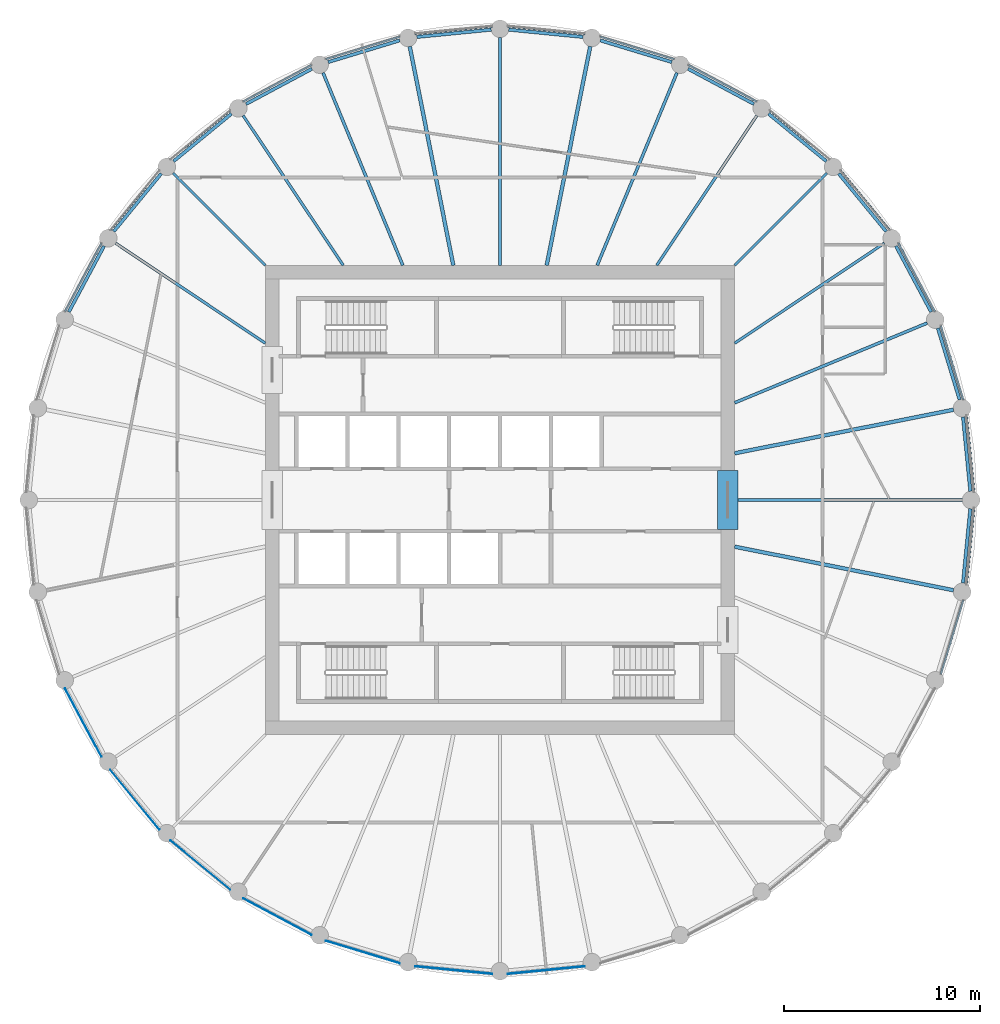
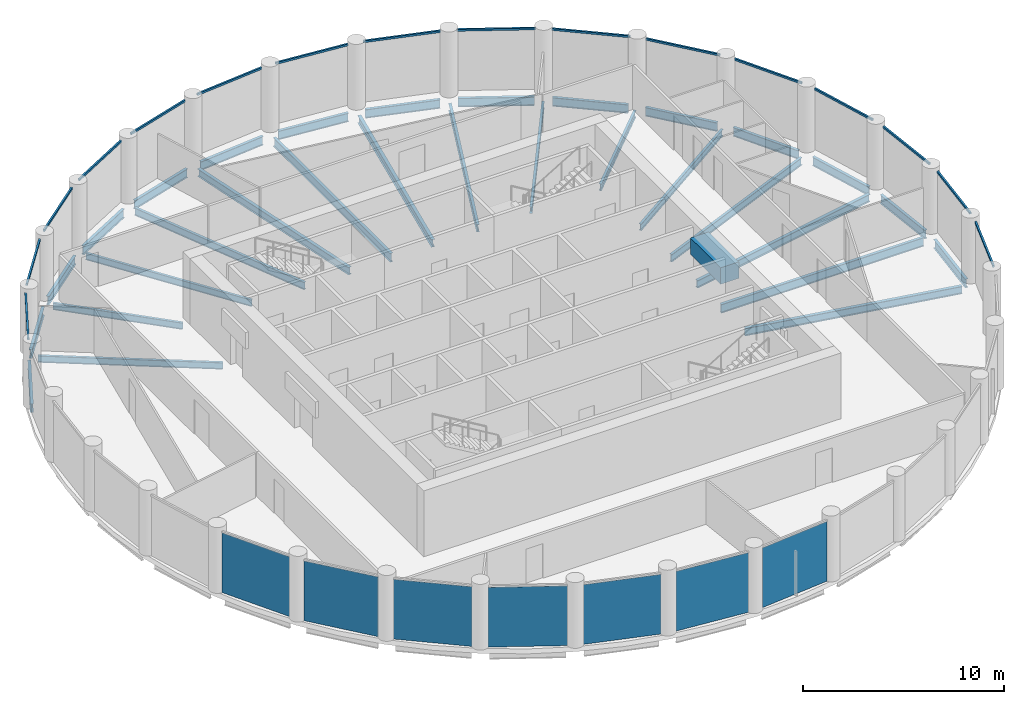
# One storey, part 2 of 7: 31 beams, 16 members, 7 plates, 23 elements without a shape of their own.
"""IFC4 building model written with IfcOpenShell, lengths in metres."""

from ifc_helpers import new_model, si_unit, direction, frame, origin, origin_2d, place, context, subcontext, project, spatial, rectangle, i_section, extrude, material, layer, layer_set, material_profile, profile_set, type_object, element, aggregate, save


model = new_model("IFC4")

# Units and contexts
model_context = context("Model", 3, precision=1e-05, world=origin(), true_north=direction((0.0, 1.0)))
body_context = subcontext(model_context, "Body", "Model", "MODEL_VIEW")
ifc_project = project(units=[si_unit("LENGTHUNIT", "METRE"), si_unit("AREAUNIT", "SQUARE_METRE"), si_unit("VOLUMEUNIT", "CUBIC_METRE"), si_unit("PLANEANGLEUNIT", "RADIAN"), si_unit("MASSUNIT", "GRAM", prefix="KILO")], contexts=[model_context])

# Site, building, storey
site_placement = place(None, origin())
site = spatial("IfcSite", under=ifc_project, at=site_placement, CompositionType="ELEMENT")
building_placement = place(site_placement, origin())
building = spatial("IfcBuilding", under=site, at=building_placement, Name="Corvane Civic Tower", CompositionType="ELEMENT")
storey_placement = place(building_placement, frame((0.0, 0.0, 291.0)))
storey = spatial("IfcBuildingStorey", under=building, at=storey_placement, Name="L69", CompositionType="ELEMENT", Elevation=291.0)

# Beams
ifc_material_1 = material(Name="Concrete C40/50", Category="concrete")
ifc_material_profile_1 = material_profile(ifc_material_1, rectangle(XDim=1.050048828125, YDim=1.0, at=origin_2d()), Name="COUPLING BEAM 1050X1000")
ifc_profile_set_1 = profile_set([ifc_material_profile_1], Name="Concrete C40/50")
beam_type_1 = type_object("IfcBeamType", Name="COUPLING BEAM COUPLING BEAM 1050X1000", PredefinedType="BEAM", material=ifc_profile_set_1)
beam_1_placement = place(storey_placement, frame((11.64990234375, -1.5, 2.60009765625), z_axis=(0.0, 1.0, 0.0), x_axis=(-1.0, 0.0, 0.0)))
element("IfcBeam", 1, at=beam_1_placement, inside=storey, type_object=beam_type_1, Name="BM-L69-cpl-CW-LE", PredefinedType="BEAM", context=body_context, shape_type="SweptSolid", body=[
    extrude(rectangle(XDim=1.050048828125, YDim=1.0, at=origin_2d()), origin(), (0.0, 0.0, 1.0), 3.0),
])
ifc_material_2 = material(Name="Steel ASTM A992 Gr 50", Category="steel")
ifc_material_profile_2 = material_profile(ifc_material_2, i_section(OverallWidth=0.165771484375, OverallDepth=0.5283203125, WebThickness=0.009765625, FlangeThickness=0.013671875, at=origin_2d()), Name="W21X50")
ifc_profile_set_2 = profile_set([ifc_material_profile_2], Name="Steel ASTM A992 Gr 50")
beam_type_2 = type_object("IfcBeamType", Name="EDGE BEAM W21X50", PredefinedType="BEAM", material=ifc_profile_set_2)
for number, where, z_axis, x_axis, name in (
    (2, (0.44775390625, 24.055908203125, -0.564208984375), (0.995187721162, -0.097986732007, 0.0), (0.097986732007, 0.995187721162, 0.0), "BM-L69-E01"),
    (3, (5.13232421875, 23.50634765625, -0.564208984375), (0.95692555902, -0.290333385085, 0.0), (0.290333385085, 0.95692555902, 0.0), "BM-L69-E02"),
):
    element("IfcBeam", number, at=place(storey_placement, frame(where, z_axis=z_axis, x_axis=x_axis)), inside=storey, type_object=beam_type_2, Name=name, PredefinedType="BEAM", context=body_context, shape_type="SweptSolid", body=[
        extrude(i_section(OverallWidth=0.165771484375, OverallDepth=0.5283203125, WebThickness=0.009765625, FlangeThickness=0.013671875, at=origin_2d()), origin(), (0.0, 0.0, 1.0), 3.824462890625),
    ])
beam_2_placement = place(storey_placement, frame((9.61962890625, 22.05322265625, -0.564208984375), z_axis=(0.881914279413, -0.471409804487, 0.0), x_axis=(0.471409804487, 0.881914279413, 0.0)))
element("IfcBeam", 4, at=beam_2_placement, inside=storey, type_object=beam_type_2, Name="BM-L69-E03", PredefinedType="BEAM", context=body_context, shape_type="SweptSolid", body=[
    extrude(i_section(OverallWidth=0.165771484375, OverallDepth=0.5283203125, WebThickness=0.009765625, FlangeThickness=0.013671875, at=origin_2d()), origin(), (0.0, 0.0, 1.0), 3.82421875),
])
for number, where, z_axis, x_axis, name in (
    (5, (13.737060546875, 19.7529296875, -0.564208984375), (0.772997914867, -0.634408562057, 0.0), (0.634408562057, 0.772997914867, 0.0), "BM-L69-E04"),
    (6, (17.32666015625, 16.693359375, -0.564208984375), (0.634408562057, -0.772997914867, 0.0), (0.772997914867, 0.634408562057, 0.0), "BM-L69-E05"),
):
    element("IfcBeam", number, at=place(storey_placement, frame(where, z_axis=z_axis, x_axis=x_axis)), inside=storey, type_object=beam_type_2, Name=name, PredefinedType="BEAM", context=body_context, shape_type="SweptSolid", body=[
        extrude(i_section(OverallWidth=0.165771484375, OverallDepth=0.5283203125, WebThickness=0.009765625, FlangeThickness=0.013671875, at=origin_2d()), origin(), (0.0, 0.0, 1.0), 3.824462890625),
    ])
beam_3_placement = place(storey_placement, frame((20.25048828125, 12.9921875, -0.564208984375), z_axis=(0.471409804487, -0.881914279413, 0.0), x_axis=(0.881914279413, 0.471409804487, 0.0)))
element("IfcBeam", 7, at=beam_3_placement, inside=storey, type_object=beam_type_2, Name="BM-L69-E06", PredefinedType="BEAM", context=body_context, shape_type="SweptSolid", body=[
    extrude(i_section(OverallWidth=0.165771484375, OverallDepth=0.5283203125, WebThickness=0.009765625, FlangeThickness=0.013671875, at=origin_2d()), origin(), (0.0, 0.0, 1.0), 3.82421875),
])
for number, where, z_axis, x_axis, name in (
    (8, (22.39599609375, 8.7919921875, -0.564208984375), (0.290333385085, -0.95692555902, 0.0), (0.95692555902, 0.290333385085, 0.0), "BM-L69-E07"),
    (9, (23.68115234375, 4.25390625, -0.564208984375), (0.097986732007, -0.995187721162, 0.0), (0.995187721162, 0.097986732007, 0.0), "BM-L69-E08"),
    (10, (24.055908203125, -0.44775390625, -0.564208984375), (-0.097986732007, -0.995187721162, 0.0), (0.995187721162, -0.097986732007, 0.0), "BM-L69-E09"),
):
    element("IfcBeam", number, at=place(storey_placement, frame(where, z_axis=z_axis, x_axis=x_axis)), inside=storey, type_object=beam_type_2, Name=name, PredefinedType="BEAM", context=body_context, shape_type="SweptSolid", body=[
        extrude(i_section(OverallWidth=0.165771484375, OverallDepth=0.5283203125, WebThickness=0.009765625, FlangeThickness=0.013671875, at=origin_2d()), origin(), (0.0, 0.0, 1.0), 3.824462890625),
    ])
beam_4_placement = place(storey_placement, frame((-22.05322265625, 9.61962890625, -0.564208984375), z_axis=(0.471409804487, 0.881914279413, 0.0), x_axis=(-0.881914279413, 0.471409804487, 0.0)))
element("IfcBeam", 11, at=beam_4_placement, inside=storey, type_object=beam_type_2, Name="BM-L69-E27", PredefinedType="BEAM", context=body_context, shape_type="SweptSolid", body=[
    extrude(i_section(OverallWidth=0.165771484375, OverallDepth=0.5283203125, WebThickness=0.009765625, FlangeThickness=0.013671875, at=origin_2d()), origin(), (0.0, 0.0, 1.0), 3.82421875),
])
for number, where, z_axis, x_axis, name in (
    (12, (-19.7529296875, 13.737060546875, -0.564208984375), (0.634408562057, 0.772997914867, 0.0), (-0.772997914867, 0.634408562057, 0.0), "BM-L69-E28"),
    (13, (-16.693359375, 17.32666015625, -0.564208984375), (0.772997914867, 0.634408562057, 0.0), (-0.634408562057, 0.772997914867, 0.0), "BM-L69-E29"),
):
    element("IfcBeam", number, at=place(storey_placement, frame(where, z_axis=z_axis, x_axis=x_axis)), inside=storey, type_object=beam_type_2, Name=name, PredefinedType="BEAM", context=body_context, shape_type="SweptSolid", body=[
        extrude(i_section(OverallWidth=0.165771484375, OverallDepth=0.5283203125, WebThickness=0.009765625, FlangeThickness=0.013671875, at=origin_2d()), origin(), (0.0, 0.0, 1.0), 3.824462890625),
    ])
beam_5_placement = place(storey_placement, frame((-12.9921875, 20.25048828125, -0.564208984375), z_axis=(0.881914279413, 0.471409804487, 0.0), x_axis=(-0.471409804487, 0.881914279413, 0.0)))
element("IfcBeam", 14, at=beam_5_placement, inside=storey, type_object=beam_type_2, Name="BM-L69-E30", PredefinedType="BEAM", context=body_context, shape_type="SweptSolid", body=[
    extrude(i_section(OverallWidth=0.165771484375, OverallDepth=0.5283203125, WebThickness=0.009765625, FlangeThickness=0.013671875, at=origin_2d()), origin(), (0.0, 0.0, 1.0), 3.82421875),
])
for number, where, z_axis, x_axis, name in (
    (15, (-8.7919921875, 22.39599609375, -0.564208984375), (0.95692555902, 0.290333385085, 0.0), (-0.290333385085, 0.95692555902, 0.0), "BM-L69-E31"),
    (16, (-4.25390625, 23.68115234375, -0.564208984375), (0.995187721162, 0.097986732007, 0.0), (-0.097986732007, 0.995187721162, 0.0), "BM-L69-E32"),
):
    element("IfcBeam", number, at=place(storey_placement, frame(where, z_axis=z_axis, x_axis=x_axis)), inside=storey, type_object=beam_type_2, Name=name, PredefinedType="BEAM", context=body_context, shape_type="SweptSolid", body=[
        extrude(i_section(OverallWidth=0.165771484375, OverallDepth=0.5283203125, WebThickness=0.009765625, FlangeThickness=0.013671875, at=origin_2d()), origin(), (0.0, 0.0, 1.0), 3.824462890625),
    ])
ifc_material_3 = material(Name="Steel ASTM A992 Gr 50", Category="steel")
ifc_material_profile_3 = material_profile(ifc_material_3, i_section(OverallWidth=0.140380859375, OverallDepth=0.40380859375, WebThickness=0.007080078125, FlangeThickness=0.01123046875, at=origin_2d()), Name="W16X31")
ifc_profile_set_3 = profile_set([ifc_material_profile_3], Name="Steel ASTM A992 Gr 50")
beam_type_3 = type_object("IfcBeamType", Name="FLOOR GIRDER W16X31", PredefinedType="BEAM", material=ifc_profile_set_3)
beam_6_placement = place(storey_placement, frame((8.01806640625, 12.0, -0.501953125), z_axis=(0.555567816355, 0.831471227061, 0.0), x_axis=(-0.831471227061, 0.555567816355, 0.0)))
element("IfcBeam", 17, at=beam_6_placement, inside=storey, type_object=beam_type_3, Name="BM-L69-G04", PredefinedType="BEAM", context=body_context, shape_type="SweptSolid", body=[
    extrude(i_section(OverallWidth=0.140380859375, OverallDepth=0.40380859375, WebThickness=0.007080078125, FlangeThickness=0.01123046875, at=origin_2d()), origin(), (0.0, 0.0, 1.0), 9.2177734375),
])
beam_7_placement = place(storey_placement, frame((12.0, 12.0, -0.501953125), z_axis=(0.707106781187, 0.707106781187, 0.0), x_axis=(-0.707106781187, 0.707106781187, 0.0)))
element("IfcBeam", 18, at=beam_7_placement, inside=storey, type_object=beam_type_3, Name="BM-L69-G05", PredefinedType="BEAM", context=body_context, shape_type="SweptSolid", body=[
    extrude(i_section(OverallWidth=0.140380859375, OverallDepth=0.40380859375, WebThickness=0.007080078125, FlangeThickness=0.01123046875, at=origin_2d()), origin(), (0.0, 0.0, 1.0), 6.679443359375),
])
for number, where, z_axis, x_axis, name in (
    (19, (12.0, 8.01806640625, -0.501953125), (0.831471227061, 0.555567816355, 0.0), (-0.555567816355, 0.831471227061, 0.0), "BM-L69-G06"),
    (20, (-12.0, 8.01806640625, -0.501953125), (-0.831471227061, 0.555567816355, 0.0), (-0.555567816355, -0.831471227061, 0.0), "BM-L69-G28"),
):
    element("IfcBeam", number, at=place(storey_placement, frame(where, z_axis=z_axis, x_axis=x_axis)), inside=storey, type_object=beam_type_3, Name=name, PredefinedType="BEAM", context=body_context, shape_type="SweptSolid", body=[
        extrude(i_section(OverallWidth=0.140380859375, OverallDepth=0.40380859375, WebThickness=0.007080078125, FlangeThickness=0.01123046875, at=origin_2d()), origin(), (0.0, 0.0, 1.0), 9.2177734375),
    ])
beam_8_placement = place(storey_placement, frame((-12.0, 12.0, -0.501953125), z_axis=(-0.707106781187, 0.707106781187, 0.0), x_axis=(-0.707106781187, -0.707106781187, 0.0)))
element("IfcBeam", 21, at=beam_8_placement, inside=storey, type_object=beam_type_3, Name="BM-L69-G29", PredefinedType="BEAM", context=body_context, shape_type="SweptSolid", body=[
    extrude(i_section(OverallWidth=0.140380859375, OverallDepth=0.40380859375, WebThickness=0.007080078125, FlangeThickness=0.01123046875, at=origin_2d()), origin(), (0.0, 0.0, 1.0), 6.679443359375),
])
beam_9_placement = place(storey_placement, frame((-8.01806640625, 12.0, -0.501953125), z_axis=(-0.555567816355, 0.831471227061, 0.0), x_axis=(-0.831471227061, -0.555567816355, 0.0)))
element("IfcBeam", 22, at=beam_9_placement, inside=storey, type_object=beam_type_3, Name="BM-L69-G30", PredefinedType="BEAM", context=body_context, shape_type="SweptSolid", body=[
    extrude(i_section(OverallWidth=0.140380859375, OverallDepth=0.40380859375, WebThickness=0.007080078125, FlangeThickness=0.01123046875, at=origin_2d()), origin(), (0.0, 0.0, 1.0), 9.2177734375),
])
ifc_material_4 = material(Name="Steel ASTM A992 Gr 50", Category="steel")
ifc_material_profile_4 = material_profile(ifc_material_4, i_section(OverallWidth=0.15283203125, OverallDepth=0.45458984375, WebThickness=0.008056640625, FlangeThickness=0.013427734375, at=origin_2d()), Name="W18X40")
ifc_profile_set_4 = profile_set([ifc_material_profile_4], Name="Steel ASTM A992 Gr 50")
beam_type_4 = type_object("IfcBeamType", Name="FLOOR GIRDER W18X40", PredefinedType="BEAM", material=ifc_profile_set_4)
for number, where, z_axis, x_axis, name in (
    (23, (4.970458984375, 12.0, -0.52734375), (0.382694257331, 0.923875048589, 0.0), (-0.923875048589, 0.382694257331, 0.0), "BM-L69-G03"),
    (24, (12.0, 4.970458984375, -0.52734375), (0.923875048589, 0.382694257331, 0.0), (-0.382694257331, 0.923875048589, 0.0), "BM-L69-G07"),
    (25, (-4.970458984375, 12.0, -0.52734375), (-0.382694257331, 0.923875048589, 0.0), (-0.923875048589, -0.382694257331, 0.0), "BM-L69-G31"),
):
    element("IfcBeam", number, at=place(storey_placement, frame(where, z_axis=z_axis, x_axis=x_axis)), inside=storey, type_object=beam_type_4, Name=name, PredefinedType="BEAM", context=body_context, shape_type="SweptSolid", body=[
        extrude(i_section(OverallWidth=0.15283203125, OverallDepth=0.45458984375, WebThickness=0.008056640625, FlangeThickness=0.013427734375, at=origin_2d()), origin(), (0.0, 0.0, 1.0), 10.661376953125),
    ])
ifc_material_5 = material(Name="Steel ASTM A992 Gr 50", Category="steel")
ifc_material_profile_5 = material_profile(ifc_material_5, i_section(OverallWidth=0.1904296875, OverallDepth=0.457275390625, WebThickness=0.009033203125, FlangeThickness=0.014404296875, at=origin_2d()), Name="W18X50")
ifc_profile_set_5 = profile_set([ifc_material_profile_5], Name="Steel ASTM A992 Gr 50")
beam_type_5 = type_object("IfcBeamType", Name="FLOOR GIRDER W18X50", PredefinedType="BEAM", material=ifc_profile_set_5)
for number, where, z_axis, x_axis, name in (
    (26, (2.386962890625, 12.0, -0.528564453125), (0.195079532402, 0.980787426529, 0.0), (-0.980787426529, 0.195079532402, 0.0), "BM-L69-G02"),
    (27, (12.0, 2.386962890625, -0.528564453125), (0.980787426529, 0.195079532402, 0.0), (-0.195079532402, 0.980787426529, 0.0), "BM-L69-G08"),
    (28, (12.0, -2.386962890625, -0.528564453125), (0.980787426529, -0.195079532402, 0.0), (0.195079532402, 0.980787426529, 0.0), "BM-L69-G10"),
    (29, (-2.386962890625, 12.0, -0.528564453125), (-0.195079532402, 0.980787426529, 0.0), (-0.980787426529, -0.195079532402, 0.0), "BM-L69-G32"),
):
    element("IfcBeam", number, at=place(storey_placement, frame(where, z_axis=z_axis, x_axis=x_axis)), inside=storey, type_object=beam_type_5, Name=name, PredefinedType="BEAM", context=body_context, shape_type="SweptSolid", body=[
        extrude(i_section(OverallWidth=0.1904296875, OverallDepth=0.457275390625, WebThickness=0.009033203125, FlangeThickness=0.014404296875, at=origin_2d()), origin(), (0.0, 0.0, 1.0), 11.414794921875),
    ])
ifc_material_6 = material(Name="Steel ASTM A992 Gr 50", Category="steel")
ifc_material_profile_6 = material_profile(ifc_material_6, i_section(OverallWidth=0.165771484375, OverallDepth=0.5283203125, WebThickness=0.009765625, FlangeThickness=0.013671875, at=origin_2d()), Name="W21X50")
ifc_profile_set_6 = profile_set([ifc_material_profile_6], Name="Steel ASTM A992 Gr 50")
beam_type_6 = type_object("IfcBeamType", Name="FLOOR GIRDER W21X50", PredefinedType="BEAM", material=ifc_profile_set_6)
for number, where, z_axis, x_axis, name in (
    (30, (0.0, 12.0, -0.564208984375), (0.0, 1.0, 0.0), (-1.0, 0.0, 0.0), "BM-L69-G01"),
    (31, (12.0, 0.0, -0.564208984375), (1.0, 0.0, 0.0), (0.0, 1.0, 0.0), "BM-L69-G09"),
):
    element("IfcBeam", number, at=place(storey_placement, frame(where, z_axis=z_axis, x_axis=x_axis)), inside=storey, type_object=beam_type_6, Name=name, PredefinedType="BEAM", context=body_context, shape_type="SweptSolid", body=[
        extrude(i_section(OverallWidth=0.165771484375, OverallDepth=0.5283203125, WebThickness=0.009765625, FlangeThickness=0.013671875, at=origin_2d()), origin(), (0.0, 0.0, 1.0), 11.64990234375),
    ])

# Curtain wall, member
ifc_material_7 = material(Name="Anodised aluminium bronze", Category="aluminium")
curtain_wall_type = type_object("IfcCurtainWallType", Name="TOWER CW-T3 STICK CURTAIN WALL", PredefinedType="NOTDEFINED", material=ifc_material_7)
curtain_wall_1_placement = place(storey_placement, origin())
curtain_wall_1 = element("IfcCurtainWall", 32, at=curtain_wall_1_placement, inside=storey, type_object=curtain_wall_type, Name="Curtain wall CW-T3 L69 bay 01", PredefinedType="NOTDEFINED")
ifc_material_8 = material(Name="Anodised aluminium bronze", Category="aluminium")
ifc_material_profile_7 = material_profile(ifc_material_8, rectangle(XDim=0.10009765625, YDim=0.1201171875, at=origin_2d()), Name="TOWER CW-T3 TRANSOM 100x120")
ifc_profile_set_7 = profile_set([ifc_material_profile_7], Name="Anodised aluminium bronze")
member_type = type_object("IfcMemberType", Name="TOWER CW-T3 TRANSOM 100x120", PredefinedType="USERDEFINED", material=ifc_profile_set_7)
member_1_placement = place(storey_placement, frame((0.3984375, 24.24072265625, 3.68994140625), z_axis=(0.995186866683, -0.097995409999, 0.0), x_axis=(0.097995409999, 0.995186866683, 0.0)))
member_1 = element("IfcMember", 33, at=member_1_placement, type_object=member_type, Name="Transom CW-T3 L69 01.1", ObjectType="TRANSOM", PredefinedType="USERDEFINED", context=body_context, shape_type="SweptSolid", body=[
    extrude(rectangle(XDim=0.10009765625, YDim=0.1201171875, at=origin_2d()), origin(), (0.0, 0.0, 1.0), 3.958740234375),
])
aggregate(curtain_wall_1, [member_1])

curtain_wall_2_placement = place(storey_placement, origin())
curtain_wall_2 = element("IfcCurtainWall", 34, at=curtain_wall_2_placement, inside=storey, type_object=curtain_wall_type, Name="Curtain wall CW-T3 L69 bay 02", PredefinedType="NOTDEFINED")
member_2_placement = place(storey_placement, frame((5.119873046875, 23.697265625, 3.68994140625), z_axis=(0.956946054205, -0.290265825309, 0.0), x_axis=(0.290265825309, 0.956946054205, 0.0)))
member_2 = element("IfcMember", 35, at=member_2_placement, type_object=member_type, Name="Transom CW-T3 L69 02.1", ObjectType="TRANSOM", PredefinedType="USERDEFINED", context=body_context, shape_type="SweptSolid", body=[
    extrude(rectangle(XDim=0.10009765625, YDim=0.1201171875, at=origin_2d()), origin(), (0.0, 0.0, 1.0), 3.958984375),
])
aggregate(curtain_wall_2, [member_2])

curtain_wall_3_placement = place(storey_placement, origin())
curtain_wall_3 = element("IfcCurtainWall", 36, at=curtain_wall_3_placement, inside=storey, type_object=curtain_wall_type, Name="Curtain wall CW-T3 L69 bay 03", PredefinedType="NOTDEFINED")
member_3_placement = place(storey_placement, frame((9.644775390625, 22.2431640625, 3.68994140625), z_axis=(0.881883040816, -0.471468241052, 0.0), x_axis=(0.471468241052, 0.881883040816, 0.0)))
member_3 = element("IfcMember", 37, at=member_3_placement, type_object=member_type, Name="Transom CW-T3 L69 03.1", ObjectType="TRANSOM", PredefinedType="USERDEFINED", context=body_context, shape_type="SweptSolid", body=[
    extrude(rectangle(XDim=0.10009765625, YDim=0.1201171875, at=origin_2d()), origin(), (0.0, 0.0, 1.0), 3.958740234375),
])
aggregate(curtain_wall_3, [member_3])

curtain_wall_4_placement = place(storey_placement, origin())
curtain_wall_4 = element("IfcCurtainWall", 38, at=curtain_wall_4_placement, inside=storey, type_object=curtain_wall_type, Name="Curtain wall CW-T3 L69 bay 04", PredefinedType="NOTDEFINED")
member_4_placement = place(storey_placement, frame((13.798828125, 19.93408203125, 3.68994140625), z_axis=(0.772991943051, -0.634415838373, 0.0), x_axis=(0.634415838373, 0.772991943051, 0.0)))
member_4 = element("IfcMember", 39, at=member_4_placement, type_object=member_type, Name="Transom CW-T3 L69 04.1", ObjectType="TRANSOM", PredefinedType="USERDEFINED", context=body_context, shape_type="SweptSolid", body=[
    extrude(rectangle(XDim=0.10009765625, YDim=0.1201171875, at=origin_2d()), origin(), (0.0, 0.0, 1.0), 3.958740234375),
])
aggregate(curtain_wall_4, [member_4])

curtain_wall_5_placement = place(storey_placement, origin())
curtain_wall_5 = element("IfcCurtainWall", 40, at=curtain_wall_5_placement, inside=storey, type_object=curtain_wall_type, Name="Curtain wall CW-T3 L69 bay 05", PredefinedType="NOTDEFINED")
member_5_placement = place(storey_placement, frame((17.422607421875, 16.85888671875, 3.68994140625), z_axis=(0.634415838373, -0.772991943051, 0.0), x_axis=(0.772991943051, 0.634415838373, 0.0)))
member_5 = element("IfcMember", 41, at=member_5_placement, type_object=member_type, Name="Transom CW-T3 L69 05.1", ObjectType="TRANSOM", PredefinedType="USERDEFINED", context=body_context, shape_type="SweptSolid", body=[
    extrude(rectangle(XDim=0.10009765625, YDim=0.1201171875, at=origin_2d()), origin(), (0.0, 0.0, 1.0), 3.958740234375),
])
aggregate(curtain_wall_5, [member_5])

curtain_wall_6_placement = place(storey_placement, origin())
curtain_wall_6 = element("IfcCurtainWall", 42, at=curtain_wall_6_placement, inside=storey, type_object=curtain_wall_type, Name="Curtain wall CW-T3 L69 bay 06", PredefinedType="NOTDEFINED")
member_6_placement = place(storey_placement, frame((20.376708984375, 13.135986328125, 3.68994140625), z_axis=(0.471468241052, -0.881883040816, 0.0), x_axis=(0.881883040816, 0.471468241052, 0.0)))
member_6 = element("IfcMember", 43, at=member_6_placement, type_object=member_type, Name="Transom CW-T3 L69 06.1", ObjectType="TRANSOM", PredefinedType="USERDEFINED", context=body_context, shape_type="SweptSolid", body=[
    extrude(rectangle(XDim=0.10009765625, YDim=0.1201171875, at=origin_2d()), origin(), (0.0, 0.0, 1.0), 3.958740234375),
])
aggregate(curtain_wall_6, [member_6])

curtain_wall_7_placement = place(storey_placement, origin())
curtain_wall_7 = element("IfcCurtainWall", 44, at=curtain_wall_7_placement, inside=storey, type_object=curtain_wall_type, Name="Curtain wall CW-T3 L69 bay 07", PredefinedType="NOTDEFINED")
member_7_placement = place(storey_placement, frame((22.548095703125, 8.908447265625, 3.68994140625), z_axis=(0.290265825309, -0.956946054205, 0.0), x_axis=(0.956946054205, 0.290265825309, 0.0)))
member_7 = element("IfcMember", 45, at=member_7_placement, type_object=member_type, Name="Transom CW-T3 L69 07.1", ObjectType="TRANSOM", PredefinedType="USERDEFINED", context=body_context, shape_type="SweptSolid", body=[
    extrude(rectangle(XDim=0.10009765625, YDim=0.1201171875, at=origin_2d()), origin(), (0.0, 0.0, 1.0), 3.958984375),
])
aggregate(curtain_wall_7, [member_7])

curtain_wall_8_placement = place(storey_placement, origin())
curtain_wall_8 = element("IfcCurtainWall", 46, at=curtain_wall_8_placement, inside=storey, type_object=curtain_wall_type, Name="Curtain wall CW-T3 L69 bay 08", PredefinedType="NOTDEFINED")
member_8_placement = place(storey_placement, frame((23.852783203125, 4.338134765625, 3.68994140625), z_axis=(0.097995409999, -0.995186866683, 0.0), x_axis=(0.995186866683, 0.097995409999, 0.0)))
member_8 = element("IfcMember", 47, at=member_8_placement, type_object=member_type, Name="Transom CW-T3 L69 08.1", ObjectType="TRANSOM", PredefinedType="USERDEFINED", context=body_context, shape_type="SweptSolid", body=[
    extrude(rectangle(XDim=0.10009765625, YDim=0.1201171875, at=origin_2d()), origin(), (0.0, 0.0, 1.0), 3.958740234375),
])
aggregate(curtain_wall_8, [member_8])

curtain_wall_9_placement = place(storey_placement, origin())
curtain_wall_9 = element("IfcCurtainWall", 48, at=curtain_wall_9_placement, inside=storey, type_object=curtain_wall_type, Name="Curtain wall CW-T3 L69 bay 09", PredefinedType="NOTDEFINED")
member_9_placement = place(storey_placement, frame((24.24072265625, -0.3984375, 3.68994140625), z_axis=(-0.097995409999, -0.995186866683, 0.0), x_axis=(0.995186866683, -0.097995409999, 0.0)))
member_9 = element("IfcMember", 49, at=member_9_placement, type_object=member_type, Name="Transom CW-T3 L69 09.1", ObjectType="TRANSOM", PredefinedType="USERDEFINED", context=body_context, shape_type="SweptSolid", body=[
    extrude(rectangle(XDim=0.10009765625, YDim=0.1201171875, at=origin_2d()), origin(), (0.0, 0.0, 1.0), 3.958740234375),
])
aggregate(curtain_wall_9, [member_9])

curtain_wall_10_placement = place(storey_placement, origin())
curtain_wall_10 = element("IfcCurtainWall", 50, at=curtain_wall_10_placement, inside=storey, type_object=curtain_wall_type, Name="Curtain wall CW-T3 L69 bay 10", PredefinedType="NOTDEFINED")
member_10_placement = place(storey_placement, frame((23.697265625, -5.119873046875, 3.68994140625), z_axis=(-0.290265825309, -0.956946054205, 0.0), x_axis=(0.956946054205, -0.290265825309, 0.0)))
member_10 = element("IfcMember", 51, at=member_10_placement, type_object=member_type, Name="Transom CW-T3 L69 10.1", ObjectType="TRANSOM", PredefinedType="USERDEFINED", context=body_context, shape_type="SweptSolid", body=[
    extrude(rectangle(XDim=0.10009765625, YDim=0.1201171875, at=origin_2d()), origin(), (0.0, 0.0, 1.0), 3.958984375),
])
aggregate(curtain_wall_10, [member_10])

curtain_wall_11_placement = place(storey_placement, origin())
curtain_wall_11 = element("IfcCurtainWall", 52, at=curtain_wall_11_placement, inside=storey, type_object=curtain_wall_type, Name="Curtain wall CW-T3 L69 bay 27", PredefinedType="NOTDEFINED")
member_11_placement = place(storey_placement, frame((-22.2431640625, 9.644775390625, 3.68994140625), z_axis=(0.471468241052, 0.881883040816, 0.0), x_axis=(-0.881883040816, 0.471468241052, 0.0)))
member_11 = element("IfcMember", 53, at=member_11_placement, type_object=member_type, Name="Transom CW-T3 L69 27.1", ObjectType="TRANSOM", PredefinedType="USERDEFINED", context=body_context, shape_type="SweptSolid", body=[
    extrude(rectangle(XDim=0.10009765625, YDim=0.1201171875, at=origin_2d()), origin(), (0.0, 0.0, 1.0), 3.958740234375),
])
aggregate(curtain_wall_11, [member_11])

curtain_wall_12_placement = place(storey_placement, origin())
curtain_wall_12 = element("IfcCurtainWall", 54, at=curtain_wall_12_placement, inside=storey, type_object=curtain_wall_type, Name="Curtain wall CW-T3 L69 bay 28", PredefinedType="NOTDEFINED")
member_12_placement = place(storey_placement, frame((-19.93408203125, 13.798828125, 3.68994140625), z_axis=(0.634415838373, 0.772991943051, 0.0), x_axis=(-0.772991943051, 0.634415838373, 0.0)))
member_12 = element("IfcMember", 55, at=member_12_placement, type_object=member_type, Name="Transom CW-T3 L69 28.1", ObjectType="TRANSOM", PredefinedType="USERDEFINED", context=body_context, shape_type="SweptSolid", body=[
    extrude(rectangle(XDim=0.10009765625, YDim=0.1201171875, at=origin_2d()), origin(), (0.0, 0.0, 1.0), 3.958740234375),
])
aggregate(curtain_wall_12, [member_12])

curtain_wall_13_placement = place(storey_placement, origin())
curtain_wall_13 = element("IfcCurtainWall", 56, at=curtain_wall_13_placement, inside=storey, type_object=curtain_wall_type, Name="Curtain wall CW-T3 L69 bay 29", PredefinedType="NOTDEFINED")
member_13_placement = place(storey_placement, frame((-16.85888671875, 17.422607421875, 3.68994140625), z_axis=(0.772991943051, 0.634415838373, 0.0), x_axis=(-0.634415838373, 0.772991943051, 0.0)))
member_13 = element("IfcMember", 57, at=member_13_placement, type_object=member_type, Name="Transom CW-T3 L69 29.1", ObjectType="TRANSOM", PredefinedType="USERDEFINED", context=body_context, shape_type="SweptSolid", body=[
    extrude(rectangle(XDim=0.10009765625, YDim=0.1201171875, at=origin_2d()), origin(), (0.0, 0.0, 1.0), 3.958740234375),
])
aggregate(curtain_wall_13, [member_13])

curtain_wall_14_placement = place(storey_placement, origin())
curtain_wall_14 = element("IfcCurtainWall", 58, at=curtain_wall_14_placement, inside=storey, type_object=curtain_wall_type, Name="Curtain wall CW-T3 L69 bay 30", PredefinedType="NOTDEFINED")
member_14_placement = place(storey_placement, frame((-13.135986328125, 20.376708984375, 3.68994140625), z_axis=(0.881883040816, 0.471468241052, 0.0), x_axis=(-0.471468241052, 0.881883040816, 0.0)))
member_14 = element("IfcMember", 59, at=member_14_placement, type_object=member_type, Name="Transom CW-T3 L69 30.1", ObjectType="TRANSOM", PredefinedType="USERDEFINED", context=body_context, shape_type="SweptSolid", body=[
    extrude(rectangle(XDim=0.10009765625, YDim=0.1201171875, at=origin_2d()), origin(), (0.0, 0.0, 1.0), 3.958740234375),
])
aggregate(curtain_wall_14, [member_14])

curtain_wall_15_placement = place(storey_placement, origin())
curtain_wall_15 = element("IfcCurtainWall", 60, at=curtain_wall_15_placement, inside=storey, type_object=curtain_wall_type, Name="Curtain wall CW-T3 L69 bay 31", PredefinedType="NOTDEFINED")
member_15_placement = place(storey_placement, frame((-8.908447265625, 22.548095703125, 3.68994140625), z_axis=(0.956946054205, 0.290265825309, 0.0), x_axis=(-0.290265825309, 0.956946054205, 0.0)))
member_15 = element("IfcMember", 61, at=member_15_placement, type_object=member_type, Name="Transom CW-T3 L69 31.1", ObjectType="TRANSOM", PredefinedType="USERDEFINED", context=body_context, shape_type="SweptSolid", body=[
    extrude(rectangle(XDim=0.10009765625, YDim=0.1201171875, at=origin_2d()), origin(), (0.0, 0.0, 1.0), 3.958984375),
])
aggregate(curtain_wall_15, [member_15])

curtain_wall_16_placement = place(storey_placement, origin())
curtain_wall_16 = element("IfcCurtainWall", 62, at=curtain_wall_16_placement, inside=storey, type_object=curtain_wall_type, Name="Curtain wall CW-T3 L69 bay 32", PredefinedType="NOTDEFINED")
member_16_placement = place(storey_placement, frame((-4.338134765625, 23.852783203125, 3.68994140625), z_axis=(0.995186866683, 0.097995409999, 0.0), x_axis=(-0.097995409999, 0.995186866683, 0.0)))
member_16 = element("IfcMember", 63, at=member_16_placement, type_object=member_type, Name="Transom CW-T3 L69 32.1", ObjectType="TRANSOM", PredefinedType="USERDEFINED", context=body_context, shape_type="SweptSolid", body=[
    extrude(rectangle(XDim=0.10009765625, YDim=0.1201171875, at=origin_2d()), origin(), (0.0, 0.0, 1.0), 3.958740234375),
])
aggregate(curtain_wall_16, [member_16])

# Curtain wall, plate
curtain_wall_17_placement = place(storey_placement, origin())
curtain_wall_17 = element("IfcCurtainWall", 64, at=curtain_wall_17_placement, inside=storey, type_object=curtain_wall_type, Name="Curtain wall CW-T3 L69 bay 16", PredefinedType="NOTDEFINED")
ifc_material_9 = material(Name="Tinted glass", Category="glass")
ifc_layer = layer(ifc_material_9, 0.028076171875)
ifc_layer_set = layer_set([ifc_layer], Name="Tinted glass")
plate_type = type_object("IfcPlateType", Name="TOWER CW-T3 PANEL IGU28", PredefinedType="CURTAIN_PANEL", material=ifc_layer_set)
plate_1_placement = place(storey_placement, frame((2.368408203125, -24.046875, 0.0), z_axis=(0.0, 0.0, 1.0), x_axis=(-0.99518437747, -0.098020685775, 0.0)))
plate_1 = element("IfcPlate", 65, at=plate_1_placement, type_object=plate_type, Name="Glass panel CW-T3 L69 16.1", PredefinedType="CURTAIN_PANEL", context=body_context, shape_type="SweptSolid", body=[
    extrude(rectangle(XDim=3.958740234375, YDim=0.028076171875, at=origin_2d()), origin(), (0.0, 0.0, 1.0), 3.6298828125),
])
aggregate(curtain_wall_17, [plate_1])

curtain_wall_18_placement = place(storey_placement, origin())
curtain_wall_18 = element("IfcCurtainWall", 66, at=curtain_wall_18_placement, inside=storey, type_object=curtain_wall_type, Name="Curtain wall CW-T3 L69 bay 17", PredefinedType="NOTDEFINED")
plate_2_placement = place(storey_placement, frame((-2.368408203125, -24.046875, 0.0), z_axis=(0.0, 0.0, 1.0), x_axis=(-0.99518437747, 0.098020685775, 0.0)))
plate_2 = element("IfcPlate", 67, at=plate_2_placement, type_object=plate_type, Name="Glass panel CW-T3 L69 17.1", PredefinedType="CURTAIN_PANEL", context=body_context, shape_type="SweptSolid", body=[
    extrude(rectangle(XDim=3.958740234375, YDim=0.028076171875, at=origin_2d()), origin(), (0.0, 0.0, 1.0), 3.6298828125),
])
aggregate(curtain_wall_18, [plate_2])

curtain_wall_19_placement = place(storey_placement, origin())
curtain_wall_19 = element("IfcCurtainWall", 68, at=curtain_wall_19_placement, inside=storey, type_object=curtain_wall_type, Name="Curtain wall CW-T3 L69 bay 18", PredefinedType="NOTDEFINED")
plate_3_placement = place(storey_placement, frame((-7.01416015625, -23.12255859375, 0.0), z_axis=(0.0, 0.0, 1.0), x_axis=(-0.956943694519, 0.290273604586, 0.0)))
plate_3 = element("IfcPlate", 69, at=plate_3_placement, type_object=plate_type, Name="Glass panel CW-T3 L69 18.1", PredefinedType="CURTAIN_PANEL", context=body_context, shape_type="SweptSolid", body=[
    extrude(rectangle(XDim=3.958984375, YDim=0.028076171875, at=origin_2d()), origin(), (0.0, 0.0, 1.0), 3.6298828125),
])
aggregate(curtain_wall_19, [plate_3])

curtain_wall_20_placement = place(storey_placement, origin())
curtain_wall_20 = element("IfcCurtainWall", 70, at=curtain_wall_20_placement, inside=storey, type_object=curtain_wall_type, Name="Curtain wall CW-T3 L69 bay 19", PredefinedType="NOTDEFINED")
plate_4_placement = place(storey_placement, frame((-11.390380859375, -21.31005859375, 0.0), z_axis=(0.0, 0.0, 1.0), x_axis=(-0.881908138655, 0.471421292448, 0.0)))
plate_4 = element("IfcPlate", 71, at=plate_4_placement, type_object=plate_type, Name="Glass panel CW-T3 L69 19.1", PredefinedType="CURTAIN_PANEL", context=body_context, shape_type="SweptSolid", body=[
    extrude(rectangle(XDim=3.958740234375, YDim=0.028076171875, at=origin_2d()), origin(), (0.0, 0.0, 1.0), 3.6298828125),
])
aggregate(curtain_wall_20, [plate_4])

curtain_wall_21_placement = place(storey_placement, origin())
curtain_wall_21 = element("IfcCurtainWall", 72, at=curtain_wall_21_placement, inside=storey, type_object=curtain_wall_type, Name="Curtain wall CW-T3 L69 bay 20", PredefinedType="NOTDEFINED")
plate_5_placement = place(storey_placement, frame((-15.328857421875, -18.67822265625, 0.0), z_axis=(0.0, 0.0, 1.0), x_axis=(-0.773001130565, 0.634404643855, 0.0)))
plate_5 = element("IfcPlate", 73, at=plate_5_placement, type_object=plate_type, Name="Glass panel CW-T3 L69 20.1", PredefinedType="CURTAIN_PANEL", context=body_context, shape_type="SweptSolid", body=[
    extrude(rectangle(XDim=3.958740234375, YDim=0.028076171875, at=origin_2d()), origin(), (0.0, 0.0, 1.0), 3.6298828125),
])
aggregate(curtain_wall_21, [plate_5])

curtain_wall_22_placement = place(storey_placement, origin())
curtain_wall_22 = element("IfcCurtainWall", 74, at=curtain_wall_22_placement, inside=storey, type_object=curtain_wall_type, Name="Curtain wall CW-T3 L69 bay 21", PredefinedType="NOTDEFINED")
plate_6_placement = place(storey_placement, frame((-18.67822265625, -15.328857421875, 0.0), z_axis=(0.0, 0.0, 1.0), x_axis=(-0.634404643855, 0.773001130565, 0.0)))
plate_6 = element("IfcPlate", 75, at=plate_6_placement, type_object=plate_type, Name="Glass panel CW-T3 L69 21.1", PredefinedType="CURTAIN_PANEL", context=body_context, shape_type="SweptSolid", body=[
    extrude(rectangle(XDim=3.958740234375, YDim=0.028076171875, at=origin_2d()), origin(), (0.0, 0.0, 1.0), 3.6298828125),
])
aggregate(curtain_wall_22, [plate_6])

curtain_wall_23_placement = place(storey_placement, origin())
curtain_wall_23 = element("IfcCurtainWall", 76, at=curtain_wall_23_placement, inside=storey, type_object=curtain_wall_type, Name="Curtain wall CW-T3 L69 bay 22", PredefinedType="NOTDEFINED")
plate_7_placement = place(storey_placement, frame((-21.31005859375, -11.390380859375, 0.0), z_axis=(0.0, 0.0, 1.0), x_axis=(-0.471421292448, 0.881908138655, 0.0)))
plate_7 = element("IfcPlate", 77, at=plate_7_placement, type_object=plate_type, Name="Glass panel CW-T3 L69 22.1", PredefinedType="CURTAIN_PANEL", context=body_context, shape_type="SweptSolid", body=[
    extrude(rectangle(XDim=3.958740234375, YDim=0.028076171875, at=origin_2d()), origin(), (0.0, 0.0, 1.0), 3.6298828125),
])
aggregate(curtain_wall_23, [plate_7])

save(model, "model.ifc")
